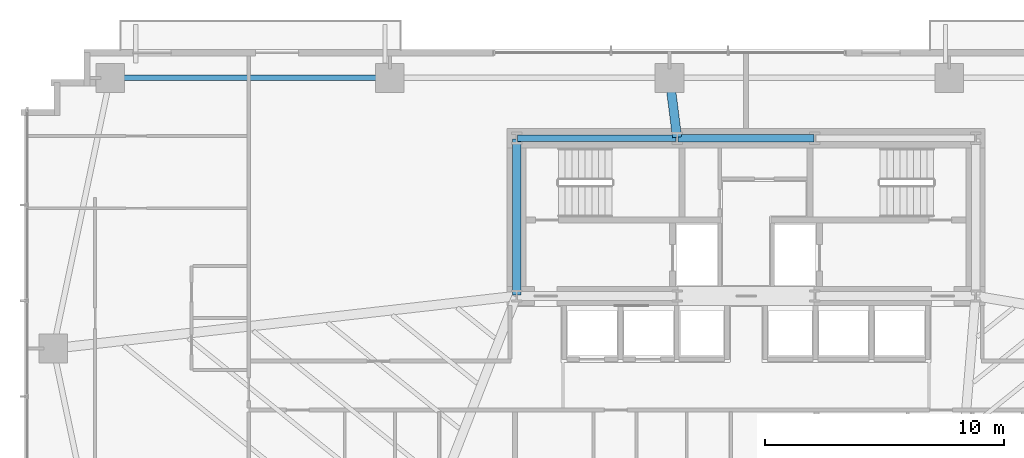
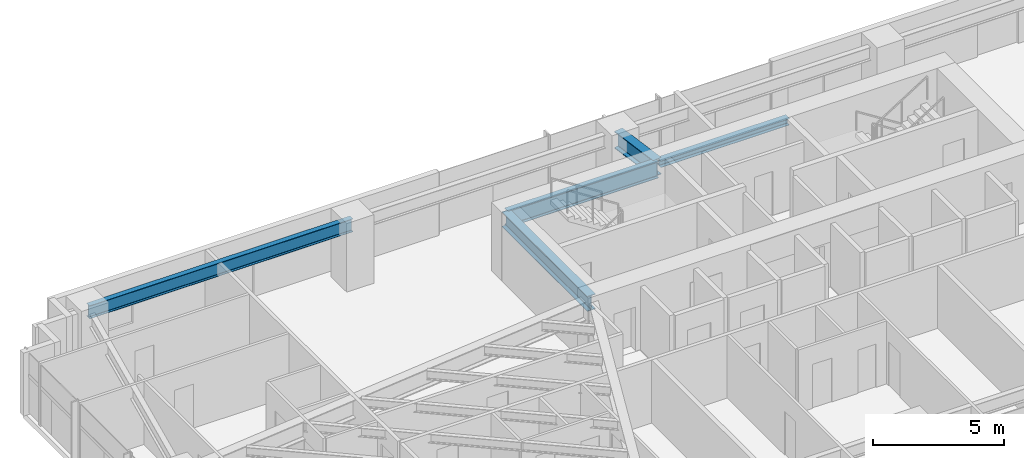
# One storey, part 9 of 25: 5 beams.
"""IFC4 building model written with IfcOpenShell, lengths in metres."""

import ifcopenshell
import ifcopenshell.guid

model = None  # the IFC model being written
_history = None  # IfcOwnerHistory: only IFC2X3 demands one
_inside = {}  # id of a spatial element -> (the spatial element, [elements in it])
_under = {}  # id of a project, library or spatial element -> (it, [spatial elements below it])
_declared = {}  # id of a project -> (the project, [libraries it declares])
_typed = {}  # id of a type object -> (the type object, [elements of that type])
_made_of = {}  # id of a material, layer set ... -> (it, [elements and type objects made of it])


def new_model(schema):
    """Start an empty IFC model of exactly this schema.

    Asked for "IFC4X3", IfcOpenShell would pick the latest addendum, in which some entities
    have other attributes; the version numbers below select the first issue.
    IFC2X3 requires an IfcOwnerHistory on every rooted entity: one is made here for all.
    """
    global model, _history
    if schema == "IFC4X3":
        model = ifcopenshell.file(schema_version=(4, 3, 0, 0))
    else:
        model = ifcopenshell.file(schema=schema)
    _inside.clear()
    _under.clear()
    _declared.clear()
    _typed.clear()
    _made_of.clear()
    _history = None
    if model.schema == "IFC2X3":
        org = make("IfcOrganization", Name="unknown")
        user = make(
            "IfcPersonAndOrganization",
            ThePerson=make("IfcPerson", FamilyName="unknown"),
            TheOrganization=org,
        )
        app = make(
            "IfcApplication",
            ApplicationDeveloper=org,
            Version="unknown",
            ApplicationFullName="unknown",
            ApplicationIdentifier="unknown",
        )
        _history = make(
            "IfcOwnerHistory",
            OwningUser=user,
            OwningApplication=app,
            ChangeAction="ADDED",
            CreationDate=0,
        )
    return model


def make(cls, **values):
    """One entity of the class cls with the attributes given. An attribute that is None is left unset."""
    return model.create_entity(
        cls, **{name: value for name, value in values.items() if value is not None}
    )


def rooted(cls, **values):
    """An entity with a GlobalId (a new one), such as an element, a storey or a relation."""
    return make(cls, GlobalId=ifcopenshell.guid.new(), OwnerHistory=_history, **values)


def si_unit(unit_type, name, prefix=None):
    """IfcSIUnit, for example si_unit("LENGTHUNIT", "METRE", prefix="MILLI")."""
    return make("IfcSIUnit", UnitType=unit_type, Prefix=prefix, Name=name)


def assignment(units):
    """IfcUnitAssignment: the units of a project."""
    return None if units is None else make("IfcUnitAssignment", Units=units)


def point(xyz):
    """IfcCartesianPoint."""
    return None if xyz is None else make("IfcCartesianPoint", Coordinates=xyz)


def direction(xyz):
    """IfcDirection."""
    return None if xyz is None else make("IfcDirection", DirectionRatios=xyz)


def frame(location, z_axis=None, x_axis=None):
    """IfcAxis2Placement3D, a coordinate frame: its origin and axes. An axis left out is left unset."""
    return make(
        "IfcAxis2Placement3D",
        Location=point(location),
        Axis=direction(z_axis),
        RefDirection=direction(x_axis),
    )


def frame_2d(location, x_axis=None):
    """IfcAxis2Placement2D, a coordinate frame in the plane: its origin and x axis."""
    return make(
        "IfcAxis2Placement2D", Location=point(location), RefDirection=direction(x_axis)
    )


def origin():
    """The frame at (0, 0, 0) with its axes left unset."""
    return frame((0.0, 0.0, 0.0))


def origin_2d():
    """The frame at (0, 0) in the plane with its x axis left unset."""
    return frame_2d((0.0, 0.0))


def place(relative_to, where):
    """IfcLocalPlacement: puts the frame where relative to a parent placement (None: the world)."""
    return make(
        "IfcLocalPlacement", PlacementRelTo=relative_to, RelativePlacement=where
    )


def context(
    kind, dimensions, precision=None, world=None, true_north=None, identifier=None
):
    """IfcGeometricRepresentationContext, for example the 3D "Model" context."""
    return make(
        "IfcGeometricRepresentationContext",
        ContextIdentifier=identifier,
        ContextType=kind,
        CoordinateSpaceDimension=dimensions,
        Precision=precision,
        WorldCoordinateSystem=world,
        TrueNorth=true_north,
    )


def subcontext(parent, identifier, kind, view, scale=None):
    """IfcGeometricRepresentationSubContext, for example "Body" below "Model"."""
    return make(
        "IfcGeometricRepresentationSubContext",
        ContextIdentifier=identifier,
        ContextType=kind,
        ParentContext=parent,
        TargetScale=scale,
        TargetView=view,
    )


def project(units=None, contexts=None):
    """IfcProject with its units and contexts."""
    return rooted(
        "IfcProject",
        Name="project",
        RepresentationContexts=contexts,
        UnitsInContext=assignment(units),
    )


def spatial(cls, under=None, at=None, **own):
    """A site, building, storey or space (cls), placed at a placement, below another one or the project."""
    s = rooted(cls, ObjectPlacement=at, **own)
    if under is not None:
        _under.setdefault(under.id(), (under, []))[1].append(s)
    return s


def profile(cls, at=None, kind="AREA", **sizes):
    """A parametric profile (cls). Its sizes go by their IFC names, for example OverallWidth=200.0."""
    return make(cls, ProfileType=kind, Position=at, **sizes)


def i_section(**sizes):
    """IfcIShapeProfileDef."""
    return profile("IfcIShapeProfileDef", **sizes)


def extrude(swept, where, along, depth):
    """IfcExtrudedAreaSolid: the profile swept, set in the frame where, extruded along a direction by depth."""
    return make(
        "IfcExtrudedAreaSolid",
        SweptArea=swept,
        Position=where,
        ExtrudedDirection=direction(along),
        Depth=depth,
    )


def shape(context_of_items, identifier, shape_type, items):
    """IfcShapeRepresentation: the items that make up one representation, for example the "Body"."""
    return make(
        "IfcShapeRepresentation",
        ContextOfItems=context_of_items,
        RepresentationIdentifier=identifier,
        RepresentationType=shape_type,
        Items=items,
    )


def source(mapping_origin, context_of_items, identifier, shape_type, items):
    """IfcRepresentationMap: a shape defined once, which mapped items show again and again."""
    return make(
        "IfcRepresentationMap",
        MappingOrigin=mapping_origin,
        MappedRepresentation=shape(context_of_items, identifier, shape_type, items),
    )


def transform(
    local_origin,
    x_axis=None,
    y_axis=None,
    z_axis=None,
    scale=None,
    scale2=None,
    scale3=None,
    uniform=True,
):
    """IfcCartesianTransformationOperator3D, or its non-uniform kind. x_axis, y_axis, z_axis: its Axis1, 2, 3."""
    if uniform:
        return make(
            "IfcCartesianTransformationOperator3D",
            Axis1=direction(x_axis),
            Axis2=direction(y_axis),
            LocalOrigin=point(local_origin),
            Scale=scale,
            Axis3=direction(z_axis),
        )
    return make(
        "IfcCartesianTransformationOperator3DnonUniform",
        Axis1=direction(x_axis),
        Axis2=direction(y_axis),
        LocalOrigin=point(local_origin),
        Scale=scale,
        Axis3=direction(z_axis),
        Scale2=scale2,
        Scale3=scale3,
    )


def mapped(mapping_source, mapping_target):
    """IfcMappedItem: shows the shape of a source again, moved by a transform."""
    return make(
        "IfcMappedItem", MappingSource=mapping_source, MappingTarget=mapping_target
    )


def material(Name=None, Category=None):
    """IfcMaterial."""
    return make("IfcMaterial", Name=Name, Category=Category)


def material_profile(
    of_material, cross_section, Name=None, Category=None, Priority=None
):
    """IfcMaterialProfile: a cross section and its material."""
    return make(
        "IfcMaterialProfile",
        Name=Name,
        Material=of_material,
        Profile=cross_section,
        Priority=Priority,
        Category=Category,
    )


def profile_set(profiles, Name=None, composite=None):
    """IfcMaterialProfileSet."""
    return make(
        "IfcMaterialProfileSet",
        Name=Name,
        MaterialProfiles=profiles,
        CompositeProfile=composite,
    )


def made_of(thing, what):
    """Note that an element or type object is made of a material, layer set ...; save() writes the relation."""
    if what is not None:
        _made_of.setdefault(what.id(), (what, []))[1].append(thing)
    return thing


def type_object(cls, material=None, **own):
    """A type object (cls), such as IfcWallType, which elements share."""
    return made_of(rooted(cls, **own), material)


def type_shapes(of_type, sources):
    """Give a type object the sources (RepresentationMaps) that its elements show as mapped items."""
    of_type.RepresentationMaps = sources


def element(
    cls,
    number,
    at=None,
    inside=None,
    cuts=None,
    type_object=None,
    material=None,
    context=None,
    identifier="Body",
    shape_type=None,
    held_by="IfcProductDefinitionShape",
    body=None,
    shapes=None,
    **own,
):
    """One element of the class cls, such as IfcWall. Its Tag is "e" and its number.

    at: its placement. inside: the storey or other place that contains it. cuts: it is an
    opening in that element (IfcRelVoidsElement). A single representation is given by context,
    identifier, shape_type and body (its items); several are given by shapes. held_by: the class
    of the entity that holds the representations. save() writes the other relations.
    """
    e = rooted(cls, Tag="e%d" % number, ObjectPlacement=at, **own)
    if body is not None:
        shapes = [shape(context, identifier, shape_type, body)]
    if shapes is not None:
        e.Representation = make(held_by, Representations=shapes)
    if inside is not None:
        _inside.setdefault(inside.id(), (inside, []))[1].append(e)
    if cuts is not None:
        rooted(
            "IfcRelVoidsElement", RelatingBuildingElement=cuts, RelatedOpeningElement=e
        )
    if type_object is not None:
        _typed.setdefault(type_object.id(), (type_object, []))[1].append(e)
    return made_of(e, material)


def aggregate(whole, parts):
    """IfcRelAggregates: a whole, such as a stair, and the parts it consists of."""
    return rooted("IfcRelAggregates", RelatingObject=whole, RelatedObjects=parts)


def save(model, path):
    """Write the relations noted so far, then the file.

    IfcRelAggregates (storeys below a building ...), IfcRelContainedInSpatialStructure (elements
    in a storey), IfcRelDefinesByType, IfcRelAssociatesMaterial and IfcRelDeclares: one each for
    every whole, place, type object, material and project.
    """
    for whole, parts in _under.values():
        aggregate(whole, parts)
    for where, things in _inside.values():
        rooted(
            "IfcRelContainedInSpatialStructure",
            RelatedElements=things,
            RelatingStructure=where,
        )
    for kind, things in _typed.values():
        rooted("IfcRelDefinesByType", RelatedObjects=things, RelatingType=kind)
    for what, things in _made_of.values():
        rooted("IfcRelAssociatesMaterial", RelatedObjects=things, RelatingMaterial=what)
    for by, libraries in _declared.values():
        rooted("IfcRelDeclares", RelatingContext=by, RelatedDefinitions=libraries)
    model.write(path)


model = new_model("IFC4")

# Units and contexts
model_context = context("Model", 3, precision=1e-05, world=origin(), true_north=direction((0.0, 1.0)))
body_context = subcontext(model_context, "Body", "Model", "MODEL_VIEW")
ifc_project = project(units=[si_unit("LENGTHUNIT", "METRE"), si_unit("AREAUNIT", "SQUARE_METRE"), si_unit("VOLUMEUNIT", "CUBIC_METRE"), si_unit("PLANEANGLEUNIT", "RADIAN"), si_unit("MASSUNIT", "GRAM", prefix="KILO")], contexts=[model_context])

# Site, building, storey
site_placement = place(None, origin())
site = spatial("IfcSite", under=ifc_project, at=site_placement, CompositionType="ELEMENT")
building_placement = place(site_placement, origin())
building = spatial("IfcBuilding", under=site, at=building_placement, Name="Astriad Promenade Condominiums", CompositionType="ELEMENT")
storey_placement = place(building_placement, frame((0.0, 0.0, 48.60009765625)))
storey = spatial("IfcBuildingStorey", under=building, at=storey_placement, Name="L13", CompositionType="ELEMENT", Elevation=48.60009765625)

# Beams
ifc_material = material(Name="Steel ASTM A992 Grade 50", Category="steel")
ifc_material_profile_1 = material_profile(ifc_material, i_section(OverallWidth=0.267822265625, OverallDepth=0.76953125, WebThickness=0.015625, FlangeThickness=0.025390625, FilletRadius=0.021484375, at=origin_2d()), Name="W30X132")
ifc_profile_set_1 = profile_set([ifc_material_profile_1], Name="Steel ASTM A992 Grade 50")
beam_type_1 = type_object("IfcBeamType", Name="STEEL FLOOR GIRDER W30X132", PredefinedType="BEAM", material=ifc_profile_set_1)
shared_shape_1 = source(origin(), body_context, "Body", "SweptSolid", [
    extrude(i_section(OverallWidth=0.267822265625, OverallDepth=0.76953125, WebThickness=0.015625, FlangeThickness=0.025390625, FilletRadius=0.021484375, at=origin_2d()), origin(), (0.0, 0.0, 1.0), 6.64013671875),
])
type_shapes(beam_type_1, [shared_shape_1])
beam_1_placement = place(storey_placement, frame((26.43994140625, 24.0, 2.55517578125), z_axis=(1.0, 0.0, 0.0), x_axis=(0.0, 1.0, 0.0)))
element("IfcBeam", 1, at=beam_1_placement, inside=storey, type_object=beam_type_1, Name="Core Ring Beam CG-N1-L13", PredefinedType="BEAM", context=body_context, shape_type="MappedRepresentation", body=[
    mapped(shared_shape_1, transform((0.0, 0.0, 0.0), scale=1.0)),
])
ifc_material_profile_2 = material_profile(ifc_material, i_section(OverallWidth=0.3046875, OverallDepth=0.307861328125, WebThickness=0.010009765625, FlangeThickness=0.015380859375, FilletRadius=0.01513671875, at=origin_2d()), Name="W12X65")
ifc_profile_set_2 = profile_set([ifc_material_profile_2], Name="Steel ASTM A992 Grade 50")
beam_type_2 = type_object("IfcBeamType", Name="STEEL OPENING LINTEL W12X65", PredefinedType="LINTEL", material=ifc_profile_set_2)
shared_shape_2 = source(origin(), body_context, "Body", "SweptSolid", [
    extrude(i_section(OverallWidth=0.3046875, OverallDepth=0.307861328125, WebThickness=0.010009765625, FlangeThickness=0.015380859375, FilletRadius=0.01513671875, at=origin_2d()), origin(), (0.0, 0.0, 1.0), 5.68017578125),
])
type_shapes(beam_type_2, [shared_shape_2])
beam_2_placement = place(storey_placement, frame((33.159912109375, 24.0, 2.785888671875), z_axis=(1.0, 0.0, 0.0), x_axis=(0.0, 1.0, 0.0)))
element("IfcBeam", 2, at=beam_2_placement, inside=storey, type_object=beam_type_2, Name="Core Ring Beam CG-N2-L13", PredefinedType="LINTEL", context=body_context, shape_type="MappedRepresentation", body=[
    mapped(shared_shape_2, transform((0.0, 0.0, 0.0), scale=1.0)),
])
ifc_material_profile_3 = material_profile(ifc_material, i_section(OverallWidth=0.35791015625, OverallDepth=0.706298828125, WebThickness=0.018310546875, FlangeThickness=0.0302734375, FilletRadius=0.020263671875, at=origin_2d()), Name="W27X178")
ifc_profile_set_3 = profile_set([ifc_material_profile_3], Name="Steel ASTM A992 Grade 50")
beam_type_3 = type_object("IfcBeamType", Name="STEEL FLOOR GIRDER W27X178", PredefinedType="BEAM", material=ifc_profile_set_3)
shared_shape_3 = source(origin(), body_context, "Body", "SweptSolid", [
    extrude(i_section(OverallWidth=0.35791015625, OverallDepth=0.706298828125, WebThickness=0.018310546875, FlangeThickness=0.0302734375, FilletRadius=0.020263671875, at=origin_2d()), origin(), (0.0, 0.0, 1.0), 6.52001953125),
])
type_shapes(beam_type_3, [shared_shape_3])
beam_3_placement = place(storey_placement, frame((26.39990234375, 17.43994140625, 2.586669921875), z_axis=(0.0, 1.0, 0.0), x_axis=(-1.0, 0.0, 0.0)))
element("IfcBeam", 3, at=beam_3_placement, inside=storey, type_object=beam_type_3, Name="Core Ring Beam CG-W1-L13", PredefinedType="BEAM", context=body_context, shape_type="MappedRepresentation", body=[
    mapped(shared_shape_3, transform((0.0, 0.0, 0.0), scale=1.0)),
])
ifc_material_profile_4 = material_profile(ifc_material, i_section(OverallWidth=0.22900390625, OverallDepth=0.612060546875, WebThickness=0.011962890625, FlangeThickness=0.01953125, FilletRadius=0.017822265625, at=origin_2d()), Name="W24X84")
ifc_profile_set_4 = profile_set([ifc_material_profile_4], Name="Steel ASTM A992 Grade 50")
beam_type_4 = type_object("IfcBeamType", Name="STEEL SPANDREL BEAM W24X84", PredefinedType="SPANDREL", material=ifc_profile_set_4)
shared_shape_4 = source(origin(), body_context, "Body", "SweptSolid", [
    extrude(i_section(OverallWidth=0.22900390625, OverallDepth=0.612060546875, WebThickness=0.011962890625, FlangeThickness=0.01953125, FilletRadius=0.017822265625, at=origin_2d()), origin(), (0.0, 0.0, 1.0), 11.6201171875),
])
type_shapes(beam_type_4, [shared_shape_4])
beam_4_placement = place(storey_placement, frame((21.06005859375, 26.52001953125, 2.6337890625), z_axis=(-1.0, 0.0, 0.0), x_axis=(0.0, -1.0, 0.0)))
element("IfcBeam", 4, at=beam_4_placement, inside=storey, type_object=beam_type_4, Name="Perimeter Spandrel Beam SP-N1-L13", PredefinedType="SPANDREL", context=body_context, shape_type="MappedRepresentation", body=[
    mapped(shared_shape_4, transform((0.0, 0.0, 0.0), scale=1.0)),
])
ifc_material_profile_5 = material_profile(ifc_material, i_section(OverallWidth=0.3837890625, OverallDepth=0.785888671875, WebThickness=0.019775390625, FlangeThickness=0.033447265625, FilletRadius=0.021484375, at=origin_2d()), Name="W30X211")
ifc_profile_set_5 = profile_set([ifc_material_profile_5], Name="Steel ASTM A992 Grade 50")
beam_type_5 = type_object("IfcBeamType", Name="STEEL FLOOR GIRDER W30X211", PredefinedType="BEAM", material=ifc_profile_set_5)
shared_shape_5 = source(origin(), body_context, "Body", "SweptSolid", [
    extrude(i_section(OverallWidth=0.3837890625, OverallDepth=0.785888671875, WebThickness=0.019775390625, FlangeThickness=0.033447265625, FilletRadius=0.021484375, at=origin_2d()), origin(), (0.0, 0.0, 1.0), 2.4599609375),
])
type_shapes(beam_type_5, [shared_shape_5])
beam_5_placement = place(storey_placement, frame((32.804931640625, 26.480224609375, 2.547119140625), z_axis=(0.126037648346, -0.992025458947, 0.0), x_axis=(0.992025458947, 0.126037648346, 0.0)))
element("IfcBeam", 5, at=beam_5_placement, inside=storey, type_object=beam_type_5, Name="Primary Floor Girder PG-NC-L13", PredefinedType="BEAM", context=body_context, shape_type="MappedRepresentation", body=[
    mapped(shared_shape_5, transform((0.0, 0.0, 0.0), scale=1.0)),
])

save(model, "model.ifc")
